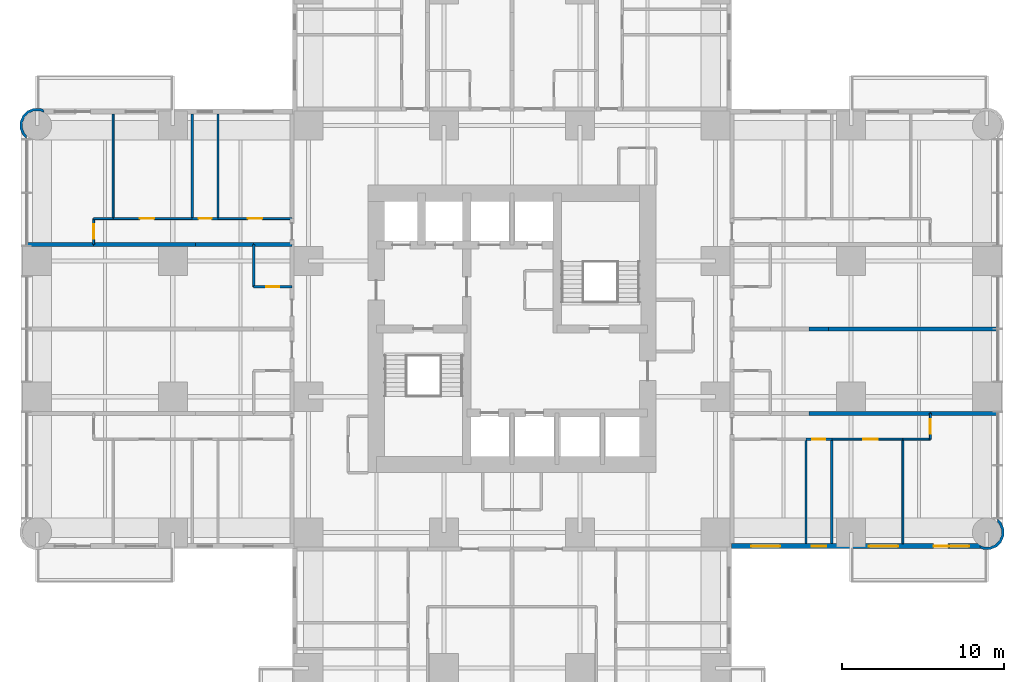
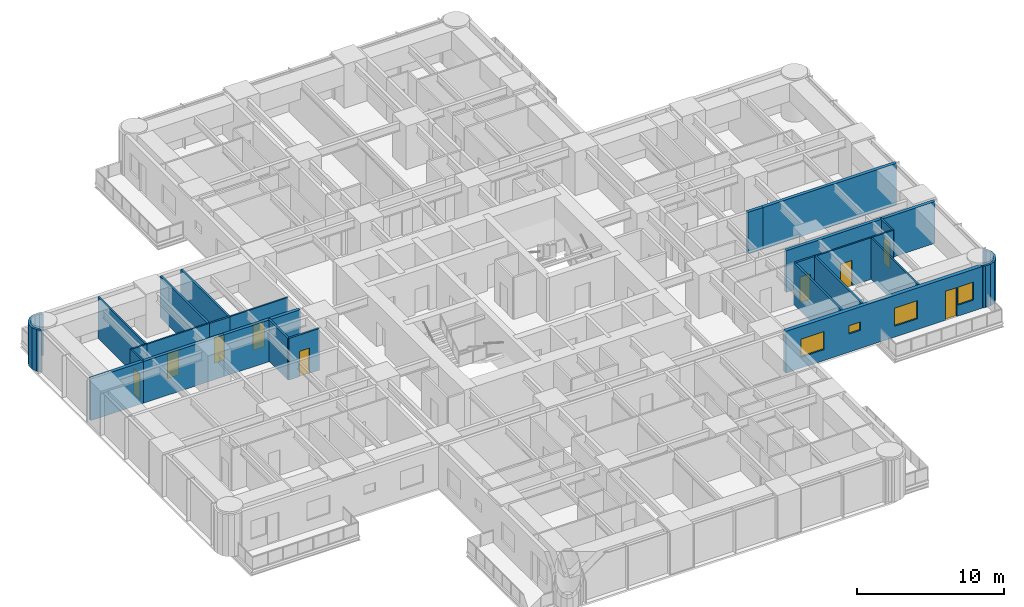
# One storey, part 11 of 17: 28 walls, 9 doors, 4 windows, 13 openings.
"""IFC4 building model written with IfcOpenShell, lengths in metres."""

from ifc_helpers import new_model, si_unit, direction, frame, frame_2d, origin, place, context, subcontext, project, spatial, polyline, rectangle, outline, extrude, material, layer, layer_set, type_object, element, fill, save


model = new_model("IFC4")

# Units and contexts
model_context = context("Model", 3, precision=1e-05, world=origin(), true_north=direction((0.0, 1.0)))
body_context = subcontext(model_context, "Body", "Model", "MODEL_VIEW")
ifc_project = project(units=[si_unit("LENGTHUNIT", "METRE"), si_unit("AREAUNIT", "SQUARE_METRE"), si_unit("VOLUMEUNIT", "CUBIC_METRE"), si_unit("PLANEANGLEUNIT", "RADIAN"), si_unit("MASSUNIT", "GRAM", prefix="KILO")], contexts=[model_context])

# Site, building, storey
site_placement = place(None, origin())
site = spatial("IfcSite", under=ifc_project, at=site_placement, CompositionType="ELEMENT")
building_placement = place(site_placement, origin())
building = spatial("IfcBuilding", under=site, at=building_placement, Name="Torre Alcanfor", CompositionType="ELEMENT")
storey_placement = place(building_placement, frame((0.0, 0.0, 88.5)))
storey = spatial("IfcBuildingStorey", under=building, at=storey_placement, Name="L22", CompositionType="ELEMENT", Elevation=88.5)

# Wall, opening, door
ifc_material_1 = material(Name="Gypsum board on steel studs", Category="steel")
ifc_layer_1 = layer(ifc_material_1, 0.1201171875)
ifc_layer_set_1 = layer_set([ifc_layer_1], Name="Apartment partition 120")
wall_type_1 = type_object("IfcWallType", Name="Apartment partition 120", PredefinedType="PARTITIONING", material=ifc_layer_set_1)
wall_1_placement = place(storey_placement, frame((53.60009765625, 22.571044921875, 0.0), z_axis=(0.0, 0.0, 1.0), x_axis=(-1.0, 0.0, 0.0)))
wall_1 = element("IfcWall", 1, at=wall_1_placement, inside=storey, type_object=wall_type_1, Name="Partition L22-E2B-HALL / L22-E2B-STUDY", PredefinedType="PARTITIONING", context=body_context, shape_type="SweptSolid", body=[
    extrude(rectangle(XDim=4.400146484375, YDim=0.1201171875, at=frame_2d((2.2001953125, 0.0))), origin(), (0.0, 0.0, 1.0), 3.449951171875),
])
opening_1_placement = place(wall_1_placement, frame((1.550048828125, 0.0, 0.0)))
opening_1 = element("IfcOpeningElement", 2, at=opening_1_placement, cuts=wall_1, Name="Opening D-R1", PredefinedType="OPENING", context=body_context, shape_type="SweptSolid", body=[
    extrude(rectangle(XDim=0.89990234375, YDim=2.10009765625, at=frame_2d((0.449951171875, 1.050048828125))), frame((0.0, 0.070068359375, 0.0), z_axis=(0.0, -1.0, 0.0), x_axis=(1.0, 0.0, 0.0)), (0.0, 0.0, 1.0), 0.14013671875),
])
ifc_material_2 = material(Name="Timber", Category="wood")
door_type_1 = type_object("IfcDoorType", Name="Internal door 900x2100", OperationType="SINGLE_SWING_LEFT", PredefinedType="DOOR", material=ifc_material_2)
door_1_placement = place(opening_1_placement, origin())
door_1 = element("IfcDoor", 3, at=door_1_placement, inside=storey, type_object=door_type_1, Name="Door L22-E2B study", OperationType="SINGLE_SWING_LEFT", OverallHeight=2.10009765625, OverallWidth=0.89990234375, PredefinedType="DOOR", context=body_context, shape_type="SweptSolid", body=[
    extrude(rectangle(XDim=0.89990234375, YDim=2.10009765625, at=frame_2d((0.449951171875, 1.050048828125))), frame((0.0, 0.02490234375, 0.0), z_axis=(0.0, -1.0, 0.0), x_axis=(1.0, 0.0, 0.0)), (0.0, 0.0, 1.0), 0.050048828125),
])
fill(opening_1, door_1)

# Wall
wall_2_placement = place(storey_placement, frame((55.300048828125, 22.571044921875, 0.0), z_axis=(0.0, 0.0, 1.0), x_axis=(-1.0, 0.0, 0.0)))
element("IfcWall", 4, at=wall_2_placement, inside=storey, type_object=wall_type_1, Name="Partition L22-E2B-HALL / L22-E2B-KITCHEN", PredefinedType="PARTITIONING", context=body_context, shape_type="SweptSolid", body=[
    extrude(rectangle(XDim=1.699951171875, YDim=0.1201171875, at=frame_2d((0.85009765625, 0.0))), origin(), (0.0, 0.0, 1.0), 3.449951171875),
])

# Wall, opening, door
wall_3_placement = place(storey_placement, frame((55.300048828125, 24.1708984375, 0.0), z_axis=(0.0, 0.0, 1.0), x_axis=(0.0, -1.0, 0.0)))
wall_3 = element("IfcWall", 5, at=wall_3_placement, inside=storey, type_object=wall_type_1, Name="Partition L22-E2B-HALL / L22-E2B-LIVING", PredefinedType="PARTITIONING", context=body_context, shape_type="SweptSolid", body=[
    extrude(rectangle(XDim=1.599853515625, YDim=0.1201171875, at=frame_2d((0.7998046875, 0.0))), origin(), (0.0, 0.0, 1.0), 3.449951171875),
])
opening_2_placement = place(wall_3_placement, frame((0.35009765625, 0.0, 0.0)))
opening_2 = element("IfcOpeningElement", 6, at=opening_2_placement, cuts=wall_3, Name="Opening D-R1", PredefinedType="OPENING", context=body_context, shape_type="SweptSolid", body=[
    extrude(rectangle(XDim=0.89990234375, YDim=2.10009765625, at=frame_2d((0.449951171875, 1.050048828125))), frame((0.0, 0.070068359375, 0.0), z_axis=(0.0, -1.0, 0.0), x_axis=(1.0, 0.0, 0.0)), (0.0, 0.0, 1.0), 0.14013671875),
])
door_2_placement = place(opening_2_placement, origin())
door_2 = element("IfcDoor", 7, at=door_2_placement, inside=storey, type_object=door_type_1, Name="Door L22-E2B living", OperationType="SINGLE_SWING_LEFT", OverallHeight=2.10009765625, OverallWidth=0.89990234375, PredefinedType="DOOR", context=body_context, shape_type="SweptSolid", body=[
    extrude(rectangle(XDim=0.89990234375, YDim=2.10009765625, at=frame_2d((0.449951171875, 1.050048828125))), frame((0.0, 0.02490234375, 0.0), z_axis=(0.0, -1.0, 0.0), x_axis=(1.0, 0.0, 0.0)), (0.0, 0.0, 1.0), 0.050048828125),
])
fill(opening_2, door_2)

# Wall
wall_4_placement = place(storey_placement, frame((53.60009765625, 22.571044921875, 0.0), z_axis=(0.0, 0.0, 1.0), x_axis=(0.0, -1.0, 0.0)))
element("IfcWall", 8, at=wall_4_placement, inside=storey, type_object=wall_type_1, Name="Partition L22-E2B-STUDY / L22-E2B-KITCHEN", PredefinedType="PARTITIONING", context=body_context, shape_type="SweptSolid", body=[
    extrude(rectangle(XDim=6.470947265625, YDim=0.1201171875, at=frame_2d((3.2353515625, 0.0))), origin(), (0.0, 0.0, 1.0), 3.449951171875),
])

# Wall, opening, door
wall_5_placement = place(storey_placement, frame((11.199951171875, 36.22900390625, 0.0), z_axis=(0.0, 0.0, 1.0), x_axis=(1.0, 0.0, 0.0)))
wall_5 = element("IfcWall", 9, at=wall_5_placement, inside=storey, type_object=wall_type_1, Name="Partition L22-W2B-HALL / L22-W2B-BED2", PredefinedType="PARTITIONING", context=body_context, shape_type="SweptSolid", body=[
    extrude(rectangle(XDim=4.574951171875, YDim=0.1201171875, at=frame_2d((2.28759765625, 0.0))), origin(), (0.0, 0.0, 1.0), 3.449951171875),
])
opening_3_placement = place(wall_5_placement, frame((1.85009765625, 0.0, 0.0)))
opening_3 = element("IfcOpeningElement", 10, at=opening_3_placement, cuts=wall_5, Name="Opening D-R1", PredefinedType="OPENING", context=body_context, shape_type="SweptSolid", body=[
    extrude(rectangle(XDim=0.89990234375, YDim=2.10009765625, at=frame_2d((0.449951171875, 1.050048828125))), frame((0.0, 0.070068359375, 0.0), z_axis=(0.0, -1.0, 0.0), x_axis=(1.0, 0.0, 0.0)), (0.0, 0.0, 1.0), 0.14013671875),
])
door_3_placement = place(opening_3_placement, origin())
door_3 = element("IfcDoor", 11, at=door_3_placement, inside=storey, type_object=door_type_1, Name="Door L22-W2B bed2", OperationType="SINGLE_SWING_RIGHT", OverallHeight=2.10009765625, OverallWidth=0.89990234375, PredefinedType="DOOR", context=body_context, shape_type="SweptSolid", body=[
    extrude(rectangle(XDim=0.89990234375, YDim=2.10009765625, at=frame_2d((0.449951171875, 1.050048828125))), frame((0.0, 0.02490234375, 0.0), z_axis=(0.0, -1.0, 0.0), x_axis=(1.0, 0.0, 0.0)), (0.0, 0.0, 1.0), 0.050048828125),
])
fill(opening_3, door_3)

wall_6_placement = place(storey_placement, frame((4.699951171875, 36.22900390625, 0.0), z_axis=(0.0, 0.0, 1.0), x_axis=(1.0, 0.0, 0.0)))
wall_6 = element("IfcWall", 12, at=wall_6_placement, inside=storey, type_object=wall_type_1, Name="Partition L22-W2B-HALL / L22-W2B-MASTER", PredefinedType="PARTITIONING", context=body_context, shape_type="SweptSolid", body=[
    extrude(rectangle(XDim=4.900146484375, YDim=0.1201171875, at=frame_2d((2.4501953125, 0.0))), origin(), (0.0, 0.0, 1.0), 3.449951171875),
])
opening_4_placement = place(wall_6_placement, frame((1.64990234375, 0.0, 0.0)))
opening_4 = element("IfcOpeningElement", 13, at=opening_4_placement, cuts=wall_6, Name="Opening D-R1", PredefinedType="OPENING", context=body_context, shape_type="SweptSolid", body=[
    extrude(rectangle(XDim=0.89990234375, YDim=2.10009765625, at=frame_2d((0.449951171875, 1.050048828125))), frame((0.0, 0.070068359375, 0.0), z_axis=(0.0, -1.0, 0.0), x_axis=(1.0, 0.0, 0.0)), (0.0, 0.0, 1.0), 0.14013671875),
])
door_4_placement = place(opening_4_placement, origin())
door_4 = element("IfcDoor", 14, at=door_4_placement, inside=storey, type_object=door_type_1, Name="Door L22-W2B master", OperationType="SINGLE_SWING_LEFT", OverallHeight=2.10009765625, OverallWidth=0.89990234375, PredefinedType="DOOR", context=body_context, shape_type="SweptSolid", body=[
    extrude(rectangle(XDim=0.89990234375, YDim=2.10009765625, at=frame_2d((0.449951171875, 1.050048828125))), frame((0.0, 0.02490234375, 0.0), z_axis=(0.0, -1.0, 0.0), x_axis=(1.0, 0.0, 0.0)), (0.0, 0.0, 1.0), 0.050048828125),
])
fill(opening_4, door_4)

# Wall
wall_7_placement = place(storey_placement, frame((3.5, 36.22900390625, 0.0), z_axis=(0.0, 0.0, 1.0), x_axis=(1.0, 0.0, 0.0)))
element("IfcWall", 15, at=wall_7_placement, inside=storey, type_object=wall_type_1, Name="Partition L22-W2B-HALL / L22-W2B-KITCHEN", PredefinedType="PARTITIONING", context=body_context, shape_type="SweptSolid", body=[
    extrude(rectangle(XDim=1.199951171875, YDim=0.1201171875, at=frame_2d((0.60009765625, 0.0))), origin(), (0.0, 0.0, 1.0), 3.449951171875),
])

# Wall, opening, door
wall_8_placement = place(storey_placement, frame((3.5, 34.62890625, 0.0), z_axis=(0.0, 0.0, 1.0), x_axis=(0.0, 1.0, 0.0)))
wall_8 = element("IfcWall", 16, at=wall_8_placement, inside=storey, type_object=wall_type_1, Name="Partition L22-W2B-HALL / L22-W2B-LIVING", PredefinedType="PARTITIONING", context=body_context, shape_type="SweptSolid", body=[
    extrude(rectangle(XDim=1.60009765625, YDim=0.1201171875, at=frame_2d((0.800048828125, 0.0))), origin(), (0.0, 0.0, 1.0), 3.449951171875),
])
opening_5_placement = place(wall_8_placement, frame((0.35009765625, 0.0, 0.0)))
opening_5 = element("IfcOpeningElement", 17, at=opening_5_placement, cuts=wall_8, Name="Opening D-R1", PredefinedType="OPENING", context=body_context, shape_type="SweptSolid", body=[
    extrude(rectangle(XDim=0.89990234375, YDim=2.10009765625, at=frame_2d((0.449951171875, 1.050048828125))), frame((0.0, 0.070068359375, 0.0), z_axis=(0.0, -1.0, 0.0), x_axis=(1.0, 0.0, 0.0)), (0.0, 0.0, 1.0), 0.14013671875),
])
door_5_placement = place(opening_5_placement, origin())
door_5 = element("IfcDoor", 18, at=door_5_placement, inside=storey, type_object=door_type_1, Name="Door L22-W2B living", OperationType="SINGLE_SWING_LEFT", OverallHeight=2.10009765625, OverallWidth=0.89990234375, PredefinedType="DOOR", context=body_context, shape_type="SweptSolid", body=[
    extrude(rectangle(XDim=0.89990234375, YDim=2.10009765625, at=frame_2d((0.449951171875, 1.050048828125))), frame((0.0, 0.02490234375, 0.0), z_axis=(0.0, -1.0, 0.0), x_axis=(1.0, 0.0, 0.0)), (0.0, 0.0, 1.0), 0.050048828125),
])
fill(opening_5, door_5)

# Wall
wall_9_placement = place(storey_placement, frame((4.699951171875, 36.22900390625, 0.0), z_axis=(0.0, 0.0, 1.0), x_axis=(0.0, 1.0, 0.0)))
element("IfcWall", 19, at=wall_9_placement, inside=storey, type_object=wall_type_1, Name="Partition L22-W2B-MASTER / L22-W2B-KITCHEN", PredefinedType="PARTITIONING", context=body_context, shape_type="SweptSolid", body=[
    extrude(rectangle(XDim=6.470947265625, YDim=0.1201171875, at=frame_2d((3.2353515625, 0.0))), origin(), (0.0, 0.0, 1.0), 3.449951171875),
])

# Wall, openings, door, windows
ifc_material_3 = material(Name="Limestone cladding", Category="masonry")
ifc_layer_2 = layer(ifc_material_3, 0.0400390625, Name="Facing")
ifc_material_4 = material(Name="Ventilated air cavity")
ifc_layer_3 = layer(ifc_material_4, 0.02001953125, ventilated=True, Name="Ventilated joint")
ifc_material_5 = material(Name="Mineral wool insulation", Category="insulation")
ifc_layer_4 = layer(ifc_material_5, 0.10009765625, Name="Insulation")
ifc_material_6 = material(Name="Concrete f'c 35 MPa", Category="concrete")
ifc_layer_5 = layer(ifc_material_6, 0.139892578125, Name="Backing")
ifc_layer_set_2 = layer_set([ifc_layer_2, ifc_layer_3, ifc_layer_4, ifc_layer_5], Name="External wall stone-clad 300")
wall_type_2 = type_object("IfcWallType", Name="External wall stone-clad 300", PredefinedType="SOLIDWALL", material=ifc_layer_set_2)
wall_10_placement = place(storey_placement, frame((43.0, 15.949951171875, 0.0), z_axis=(0.0, 0.0, 1.0), x_axis=(1.0, 0.0, 0.0)))
wall_10 = element("IfcWall", 20, at=wall_10_placement, inside=storey, type_object=wall_type_2, Name="External wall L22 7", PredefinedType="SOLIDWALL", context=body_context, shape_type="SweptSolid", body=[
    extrude(rectangle(XDim=15.39990234375, YDim=0.300048828125, at=frame_2d((7.699951171875, 0.0))), origin(), (0.0, 0.0, 1.0), 3.449951171875),
])
opening_6_placement = place(wall_10_placement, frame((1.199951171875, 0.0, 0.89990234375)))
opening_6 = element("IfcOpeningElement", 21, at=opening_6_placement, cuts=wall_10, Name="Opening W2", PredefinedType="OPENING", context=body_context, shape_type="SweptSolid", body=[
    extrude(rectangle(XDim=1.800048828125, YDim=1.5, at=frame_2d((0.89990234375, 0.75))), frame((0.0, 0.159912109375, 0.0), z_axis=(0.0, -1.0, 0.0), x_axis=(1.0, 0.0, 0.0)), (0.0, 0.0, 1.0), 0.320068359375),
])
opening_7_placement = place(wall_10_placement, frame((4.949951171875, 0.0, 1.5)))
opening_7 = element("IfcOpeningElement", 22, at=opening_7_placement, cuts=wall_10, Name="Opening W3", PredefinedType="OPENING", context=body_context, shape_type="SweptSolid", body=[
    extrude(rectangle(XDim=0.89990234375, YDim=0.699951171875, at=frame_2d((0.449951171875, 0.35009765625))), frame((0.0, 0.159912109375, 0.0), z_axis=(0.0, -1.0, 0.0), x_axis=(1.0, 0.0, 0.0)), (0.0, 0.0, 1.0), 0.320068359375),
])
opening_8_placement = place(wall_10_placement, frame((8.5, 0.0, 0.89990234375)))
opening_8 = element("IfcOpeningElement", 23, at=opening_8_placement, cuts=wall_10, Name="Opening W2", PredefinedType="OPENING", context=body_context, shape_type="SweptSolid", body=[
    extrude(rectangle(XDim=1.800048828125, YDim=1.5, at=frame_2d((0.89990234375, 0.75))), frame((0.0, 0.159912109375, 0.0), z_axis=(0.0, -1.0, 0.0), x_axis=(1.0, 0.0, 0.0)), (0.0, 0.0, 1.0), 0.320068359375),
])
opening_9_placement = place(wall_10_placement, frame((12.5, 0.0, 0.0)))
opening_9 = element("IfcOpeningElement", 24, at=opening_9_placement, cuts=wall_10, Name="Opening D-B1", PredefinedType="OPENING", context=body_context, shape_type="SweptSolid", body=[
    extrude(rectangle(XDim=0.89990234375, YDim=2.39990234375, at=frame_2d((0.449951171875, 1.199951171875))), frame((0.0, 0.159912109375, 0.0), z_axis=(0.0, -1.0, 0.0), x_axis=(1.0, 0.0, 0.0)), (0.0, 0.0, 1.0), 0.320068359375),
])
opening_10_placement = place(wall_10_placement, frame((13.5, 0.0, 0.89990234375)))
opening_10 = element("IfcOpeningElement", 25, at=opening_10_placement, cuts=wall_10, Name="Opening W4", PredefinedType="OPENING", context=body_context, shape_type="SweptSolid", body=[
    extrude(rectangle(XDim=1.199951171875, YDim=1.5, at=frame_2d((0.60009765625, 0.75))), frame((0.0, 0.159912109375, 0.0), z_axis=(0.0, -1.0, 0.0), x_axis=(1.0, 0.0, 0.0)), (0.0, 0.0, 1.0), 0.320068359375),
])
ifc_material_7 = material(Name="Aluminium and glass", Category="aluminium")
door_type_2 = type_object("IfcDoorType", Name="Balcony door glazed 900x2400", OperationType="SINGLE_SWING_LEFT", PredefinedType="DOOR", material=ifc_material_7)
door_6_placement = place(opening_9_placement, origin())
door_6 = element("IfcDoor", 26, at=door_6_placement, inside=storey, type_object=door_type_2, Name="Balcony door L22-E2", OperationType="SINGLE_SWING_LEFT", OverallHeight=2.39990234375, OverallWidth=0.89990234375, PredefinedType="DOOR", context=body_context, shape_type="SweptSolid", body=[
    extrude(rectangle(XDim=0.89990234375, YDim=2.39990234375, at=frame_2d((0.449951171875, 1.199951171875))), frame((0.0, 0.02490234375, 0.0), z_axis=(0.0, -1.0, 0.0), x_axis=(1.0, 0.0, 0.0)), (0.0, 0.0, 1.0), 0.050048828125),
])
fill(opening_9, door_6)
ifc_material_8 = material(Name="Aluminium frame with clear double glazing", Category="aluminium")
window_type_1 = type_object("IfcWindowType", Name="Window bathroom 900x700", PartitioningType="SINGLE_PANEL", PredefinedType="WINDOW", material=ifc_material_8)
window_1_placement = place(opening_7_placement, origin())
window_1 = element("IfcWindow", 27, at=window_1_placement, inside=storey, type_object=window_type_1, Name="Window W3 L22-E2", OverallHeight=0.699951171875, OverallWidth=0.89990234375, PartitioningType="SINGLE_PANEL", PredefinedType="WINDOW", context=body_context, shape_type="SweptSolid", body=[
    extrude(rectangle(XDim=0.89990234375, YDim=0.699951171875, at=frame_2d((0.449951171875, 0.35009765625))), frame((0.0, 0.030029296875, 0.0), z_axis=(0.0, -1.0, 0.0), x_axis=(1.0, 0.0, 0.0)), (0.0, 0.0, 1.0), 0.06005859375),
])
fill(opening_7, window_1)
ifc_material_9 = material(Name="Aluminium frame with clear double glazing", Category="aluminium")
window_type_2 = type_object("IfcWindowType", Name="Window bedroom 1200x1500", PartitioningType="SINGLE_PANEL", PredefinedType="WINDOW", material=ifc_material_9)
window_2_placement = place(opening_10_placement, origin())
window_2 = element("IfcWindow", 28, at=window_2_placement, inside=storey, type_object=window_type_2, Name="Window W4 L22-E2", OverallHeight=1.5, OverallWidth=1.199951171875, PartitioningType="SINGLE_PANEL", PredefinedType="WINDOW", context=body_context, shape_type="SweptSolid", body=[
    extrude(rectangle(XDim=1.199951171875, YDim=1.5, at=frame_2d((0.60009765625, 0.75))), frame((0.0, 0.030029296875, 0.0), z_axis=(0.0, -1.0, 0.0), x_axis=(1.0, 0.0, 0.0)), (0.0, 0.0, 1.0), 0.06005859375),
])
fill(opening_10, window_2)
ifc_material_10 = material(Name="Aluminium frame with clear double glazing", Category="aluminium")
window_type_3 = type_object("IfcWindowType", Name="Window bedroom 1800x1500", PartitioningType="SINGLE_PANEL", PredefinedType="WINDOW", material=ifc_material_10)
window_3_placement = place(opening_6_placement, origin())
window_3 = element("IfcWindow", 29, at=window_3_placement, inside=storey, type_object=window_type_3, Name="Window W2 L22-E2", OverallHeight=1.5, OverallWidth=1.800048828125, PartitioningType="SINGLE_PANEL", PredefinedType="WINDOW", context=body_context, shape_type="SweptSolid", body=[
    extrude(rectangle(XDim=1.800048828125, YDim=1.5, at=frame_2d((0.89990234375, 0.75))), frame((0.0, 0.030029296875, 0.0), z_axis=(0.0, -1.0, 0.0), x_axis=(1.0, 0.0, 0.0)), (0.0, 0.0, 1.0), 0.06005859375),
])
fill(opening_6, window_3)
window_4_placement = place(opening_8_placement, origin())
window_4 = element("IfcWindow", 30, at=window_4_placement, inside=storey, type_object=window_type_3, Name="Window W2 L22-E2", OverallHeight=1.5, OverallWidth=1.800048828125, PartitioningType="SINGLE_PANEL", PredefinedType="WINDOW", context=body_context, shape_type="SweptSolid", body=[
    extrude(rectangle(XDim=1.800048828125, YDim=1.5, at=frame_2d((0.89990234375, 0.75))), frame((0.0, 0.030029296875, 0.0), z_axis=(0.0, -1.0, 0.0), x_axis=(1.0, 0.0, 0.0)), (0.0, 0.0, 1.0), 0.06005859375),
])
fill(opening_8, window_4)

# Walls
ifc_material_11 = material(Name="Concrete block masonry, hollow blocks NMX-C-404 9 MPa", Category="masonry")
ifc_layer_6 = layer(ifc_material_11, 0.25)
ifc_layer_set_3 = layer_set([ifc_layer_6], Name="Party wall 250 EI 60")
wall_type_3 = type_object("IfcWallType", Name="Party wall 250 EI 60", PredefinedType="PARTITIONING", material=ifc_layer_set_3)
wall_11_placement = place(storey_placement, frame((47.800048828125, 29.39990234375, 0.0), z_axis=(0.0, 0.0, 1.0), x_axis=(1.0, 0.0, 0.0)))
element("IfcWall", 31, at=wall_11_placement, inside=storey, type_object=wall_type_3, Name="Partition L22-E1A-KITCHEN / L22-E2A-STUDIO", PredefinedType="PARTITIONING", context=body_context, shape_type="SweptSolid", body=[
    extrude(rectangle(XDim=1.199951171875, YDim=0.25, at=frame_2d((0.60009765625, 0.0))), origin(), (0.0, 0.0, 1.0), 3.449951171875),
])
wall_12_placement = place(storey_placement, frame((49.0, 29.39990234375, 0.0), z_axis=(0.0, 0.0, 1.0), x_axis=(1.0, 0.0, 0.0)))
element("IfcWall", 32, at=wall_12_placement, inside=storey, type_object=wall_type_3, Name="Partition L22-E1A-STUDIO / L22-E2A-STUDIO", PredefinedType="PARTITIONING", context=body_context, shape_type="SweptSolid", body=[
    extrude(rectangle(XDim=10.449951171875, YDim=0.25, at=frame_2d((5.22509765625, 0.0))), origin(), (0.0, 0.0, 1.0), 3.449951171875),
])
wall_13_placement = place(storey_placement, frame((55.300048828125, 24.1708984375, 0.0), z_axis=(0.0, 0.0, 1.0), x_axis=(-1.0, 0.0, 0.0)))
element("IfcWall", 33, at=wall_13_placement, inside=storey, type_object=wall_type_3, Name="Partition L22-E2A-STUDIO / L22-E2B-HALL", PredefinedType="PARTITIONING", context=body_context, shape_type="SweptSolid", body=[
    extrude(rectangle(XDim=7.5, YDim=0.25, at=frame_2d((3.75, 0.0))), origin(), (0.0, 0.0, 1.0), 3.449951171875),
])
wall_14_placement = place(storey_placement, frame((59.449951171875, 24.1708984375, 0.0), z_axis=(0.0, 0.0, 1.0), x_axis=(-1.0, 0.0, 0.0)))
element("IfcWall", 34, at=wall_14_placement, inside=storey, type_object=wall_type_3, Name="Partition L22-E2A-STUDIO / L22-E2B-LIVING", PredefinedType="PARTITIONING", context=body_context, shape_type="SweptSolid", body=[
    extrude(rectangle(XDim=4.14990234375, YDim=0.25, at=frame_2d((2.074951171875, 0.0))), origin(), (0.0, 0.0, 1.0), 3.449951171875),
])
wall_15_placement = place(storey_placement, frame((13.39990234375, 34.62890625, 0.0), z_axis=(0.0, 0.0, 1.0), x_axis=(1.0, 0.0, 0.0)))
element("IfcWall", 35, at=wall_15_placement, inside=storey, type_object=wall_type_3, Name="Partition L22-W2A-BATH / L22-W2B-HALL", PredefinedType="PARTITIONING", context=body_context, shape_type="SweptSolid", body=[
    extrude(rectangle(XDim=2.375, YDim=0.25, at=frame_2d((1.1875, 0.0))), origin(), (0.0, 0.0, 1.0), 3.449951171875),
])
wall_16_placement = place(storey_placement, frame((9.800048828125, 34.62890625, 0.0), z_axis=(0.0, 0.0, 1.0), x_axis=(1.0, 0.0, 0.0)))
element("IfcWall", 36, at=wall_16_placement, inside=storey, type_object=wall_type_3, Name="Partition L22-W2A-KITCHEN / L22-W2B-HALL", PredefinedType="PARTITIONING", context=body_context, shape_type="SweptSolid", body=[
    extrude(rectangle(XDim=3.599853515625, YDim=0.25, at=frame_2d((1.7998046875, 0.0))), origin(), (0.0, 0.0, 1.0), 3.449951171875),
])
wall_17_placement = place(storey_placement, frame((3.5, 34.62890625, 0.0), z_axis=(0.0, 0.0, 1.0), x_axis=(1.0, 0.0, 0.0)))
element("IfcWall", 37, at=wall_17_placement, inside=storey, type_object=wall_type_3, Name="Partition L22-W2A-STUDIO / L22-W2B-HALL", PredefinedType="PARTITIONING", context=body_context, shape_type="SweptSolid", body=[
    extrude(rectangle(XDim=6.300048828125, YDim=0.25, at=frame_2d((3.14990234375, 0.0))), origin(), (0.0, 0.0, 1.0), 3.449951171875),
])
wall_18_placement = place(storey_placement, frame((-0.64990234375, 34.62890625, 0.0), z_axis=(0.0, 0.0, 1.0), x_axis=(1.0, 0.0, 0.0)))
element("IfcWall", 38, at=wall_18_placement, inside=storey, type_object=wall_type_3, Name="Partition L22-W2A-STUDIO / L22-W2B-LIVING", PredefinedType="PARTITIONING", context=body_context, shape_type="SweptSolid", body=[
    extrude(rectangle(XDim=4.14990234375, YDim=0.25, at=frame_2d((2.074951171875, 0.0))), origin(), (0.0, 0.0, 1.0), 3.449951171875),
])
ifc_layer_7 = layer(ifc_material_3, 0.0400390625, Name="Facing")
ifc_layer_8 = layer(ifc_material_4, 0.02001953125, ventilated=True, Name="Ventilated joint")
ifc_layer_9 = layer(ifc_material_5, 0.10009765625, Name="Insulation")
ifc_layer_10 = layer(ifc_material_6, 0.139892578125, Name="Backing")
ifc_layer_set_4 = layer_set([ifc_layer_7, ifc_layer_8, ifc_layer_9, ifc_layer_10], Name="Rounded corner pier stone-clad 300")
wall_type_4 = type_object("IfcWallType", Name="Rounded corner pier stone-clad 300", PredefinedType="SOLIDWALL", material=ifc_layer_set_4)
wall_19_placement = place(storey_placement, frame((0.363962863, 42.909907157, 0.0), z_axis=(0.0, 0.0, 1.0), x_axis=(-0.926129809145, 0.377204953059, 0.0)))
element("IfcWall", 39, at=wall_19_placement, inside=storey, type_object=wall_type_4, Name="Corner pier L22 13", PredefinedType="SOLIDWALL", context=body_context, shape_type="SweptSolid", body=[
    extrude(outline(polyline([(0.36027248147905344, 1.8032799323574271), (0.5087783723473315, 1.740921099842025), (0.7605913470133172, 1.4857584601095954), (0.8957810128069955, 1.1538349835897281), (0.8939031559639274, 0.7953461823991875), (0.7547957339381889, 0.4650577343600455), (0.4996330942057594, 0.21324475969405968), (0.1677096176858921, 0.07805509390038129), (-0.09992182078970525, 0.07950523369113624), (0.0006988421670046999, -0.09699421764222865), (0.0300177129428464, -0.08030783699434613), (0.19858532179107968, -0.08124570553990346), (0.5888441232034033, 0.0777034519259609), (0.8888369702307105, 0.374136779300854), (1.052603126025944, 0.7629734686109036), (1.0550818122472803, 1.1847106876949156), (0.8961326547814159, 1.5749694891072394), (0.7776866026168303, 1.6949130219751851), (0.7691400347446393, 1.7275471706587737), (0.7502646662372825, 1.7227591424871238), (0.599699327406523, 1.8749623361345464), (0.2945484394782597, 2.0034825844222954), (0.2809820848521072, 1.9979571212427172), (0.36027248147905344, 1.8032799323574271)])), origin(), (0.0, 0.0, 1.0), 3.449951171875),
])
wall_20_placement = place(storey_placement, frame((58.436037137, 15.890092843, 0.0), z_axis=(0.0, 0.0, 1.0), x_axis=(0.926129809145, -0.377204953059, 0.0)))
element("IfcWall", 40, at=wall_20_placement, inside=storey, type_object=wall_type_4, Name="Corner pier L22 17", PredefinedType="SOLIDWALL", context=body_context, shape_type="SweptSolid", body=[
    extrude(outline(polyline([(0.769166837716128, 1.7276108100514604), (0.7500653632983351, 1.7227306908268178), (0.5995000244675756, 1.8749338844742405), (0.2945752424497483, 2.003546223814982), (0.2810088878235957, 1.9980207606354041), (0.36029928445054193, 1.803343571750114), (0.5086711604613772, 1.740666542271283), (0.7606181499848057, 1.4858220995022824), (0.8958078157784841, 1.153898622982415), (0.8937038530249802, 0.7953177307388815), (0.7545964309992416, 0.4650292826997394), (0.49975198823024103, 0.21308229317631072), (0.16782851171037358, 0.07789262738263233), (-0.0998950178182167, 0.07956887308382314), (0.0004995392280573718, -0.09702266930253471), (0.03004451591433495, -0.08024419760165923), (0.19838601885213236, -0.08127415720020953), (0.5888709261748919, 0.07776709131864781), (0.888863773202199, 0.37420041869354087), (1.0524038230869968, 0.7629450169505976), (1.0552007062717619, 1.1845482211771667), (0.8961594577529046, 1.5750331284999262), (0.777713405588319, 1.694976661367872), (0.769166837716128, 1.7276108100514604)])), origin(), (0.0, 0.0, 1.0), 3.449951171875),
])

# Wall, opening, door
ifc_material_12 = material(Name="Cement board on steel studs", Category="steel")
ifc_layer_11 = layer(ifc_material_12, 0.14990234375)
ifc_layer_set_5 = layer_set([ifc_layer_11], Name="Wet area partition 150")
wall_type_5 = type_object("IfcWallType", Name="Wet area partition 150", PredefinedType="PARTITIONING", material=ifc_layer_set_5)
wall_21_placement = place(storey_placement, frame((49.199951171875, 22.571044921875, 0.0), z_axis=(0.0, 0.0, 1.0), x_axis=(-1.0, 0.0, 0.0)))
wall_21 = element("IfcWall", 41, at=wall_21_placement, inside=storey, type_object=wall_type_5, Name="Partition L22-E2B-HALL / L22-E2B-BATH", PredefinedType="PARTITIONING", context=body_context, shape_type="SweptSolid", body=[
    extrude(rectangle(XDim=1.599853515625, YDim=0.14990234375, at=frame_2d((0.7998046875, 0.0))), origin(), (0.0, 0.0, 1.0), 3.449951171875),
])
opening_11_placement = place(wall_21_placement, frame((0.39990234375, 0.0, 0.0)))
opening_11 = element("IfcOpeningElement", 42, at=opening_11_placement, cuts=wall_21, Name="Opening D-R2", PredefinedType="OPENING", context=body_context, shape_type="SweptSolid", body=[
    extrude(rectangle(XDim=0.800048828125, YDim=2.10009765625, at=frame_2d((0.39990234375, 1.050048828125))), frame((0.0, 0.0849609375, 0.0), z_axis=(0.0, -1.0, 0.0), x_axis=(1.0, 0.0, 0.0)), (0.0, 0.0, 1.0), 0.169921875),
])
ifc_material_13 = material(Name="Timber", Category="wood")
door_type_3 = type_object("IfcDoorType", Name="Bathroom door 800x2100", OperationType="SINGLE_SWING_LEFT", PredefinedType="DOOR", material=ifc_material_13)
door_7_placement = place(opening_11_placement, origin())
door_7 = element("IfcDoor", 43, at=door_7_placement, inside=storey, type_object=door_type_3, Name="Door L22-E2B bath", OperationType="SINGLE_SWING_LEFT", OverallHeight=2.10009765625, OverallWidth=0.800048828125, PredefinedType="DOOR", context=body_context, shape_type="SweptSolid", body=[
    extrude(rectangle(XDim=0.800048828125, YDim=2.10009765625, at=frame_2d((0.39990234375, 1.050048828125))), frame((0.0, 0.02490234375, 0.0), z_axis=(0.0, -1.0, 0.0), x_axis=(1.0, 0.0, 0.0)), (0.0, 0.0, 1.0), 0.050048828125),
])
fill(opening_11, door_7)

# Walls
for number, where, z_axis, x_axis, name in (
    (44, (47.60009765625, 22.571044921875, 0.0), (0.0, 0.0, 1.0), (0.0, -1.0, 0.0), "Partition L22-E2B-MASTER / L22-E2B-BATH"),
    (45, (49.199951171875, 22.571044921875, 0.0), (0.0, 0.0, 1.0), (0.0, -1.0, 0.0), "Partition L22-E2B-BATH / L22-E2B-STUDY"),
):
    element("IfcWall", number, at=place(storey_placement, frame(where, z_axis=z_axis, x_axis=x_axis)), inside=storey, type_object=wall_type_5, Name=name, PredefinedType="PARTITIONING", context=body_context, shape_type="SweptSolid", body=[
        extrude(rectangle(XDim=6.470947265625, YDim=0.14990234375, at=frame_2d((3.2353515625, 0.0))), origin(), (0.0, 0.0, 1.0), 3.449951171875),
    ])

# Wall, opening, door
wall_22_placement = place(storey_placement, frame((13.39990234375, 32.0, 0.0), z_axis=(0.0, 0.0, 1.0), x_axis=(1.0, 0.0, 0.0)))
wall_22 = element("IfcWall", 46, at=wall_22_placement, inside=storey, type_object=wall_type_5, Name="Partition L22-W2A-FOYER / L22-W2A-BATH", PredefinedType="PARTITIONING", context=body_context, shape_type="SweptSolid", body=[
    extrude(rectangle(XDim=2.375, YDim=0.14990234375, at=frame_2d((1.1875, 0.0))), origin(), (0.0, 0.0, 1.0), 3.449951171875),
])
opening_12_placement = place(wall_22_placement, frame((0.800048828125, 0.0, 0.0)))
opening_12 = element("IfcOpeningElement", 47, at=opening_12_placement, cuts=wall_22, Name="Opening D-R2", PredefinedType="OPENING", context=body_context, shape_type="SweptSolid", body=[
    extrude(rectangle(XDim=0.800048828125, YDim=2.10009765625, at=frame_2d((0.39990234375, 1.050048828125))), frame((0.0, 0.0849609375, 0.0), z_axis=(0.0, -1.0, 0.0), x_axis=(1.0, 0.0, 0.0)), (0.0, 0.0, 1.0), 0.169921875),
])
door_8_placement = place(opening_12_placement, origin())
door_8 = element("IfcDoor", 48, at=door_8_placement, inside=storey, type_object=door_type_3, Name="Door L22-W2A bath", OperationType="SINGLE_SWING_RIGHT", OverallHeight=2.10009765625, OverallWidth=0.800048828125, PredefinedType="DOOR", context=body_context, shape_type="SweptSolid", body=[
    extrude(rectangle(XDim=0.800048828125, YDim=2.10009765625, at=frame_2d((0.39990234375, 1.050048828125))), frame((0.0, 0.02490234375, 0.0), z_axis=(0.0, -1.0, 0.0), x_axis=(1.0, 0.0, 0.0)), (0.0, 0.0, 1.0), 0.050048828125),
])
fill(opening_12, door_8)

# Wall
wall_23_placement = place(storey_placement, frame((13.39990234375, 32.0, 0.0), z_axis=(0.0, 0.0, 1.0), x_axis=(0.0, 1.0, 0.0)))
element("IfcWall", 49, at=wall_23_placement, inside=storey, type_object=wall_type_5, Name="Partition L22-W2A-BATH / L22-W2A-KITCHEN", PredefinedType="PARTITIONING", context=body_context, shape_type="SweptSolid", body=[
    extrude(rectangle(XDim=2.62890625, YDim=0.14990234375, at=frame_2d((1.314453125, 0.0))), origin(), (0.0, 0.0, 1.0), 3.449951171875),
])

# Wall, opening, door
wall_24_placement = place(storey_placement, frame((9.60009765625, 36.22900390625, 0.0), z_axis=(0.0, 0.0, 1.0), x_axis=(1.0, 0.0, 0.0)))
wall_24 = element("IfcWall", 50, at=wall_24_placement, inside=storey, type_object=wall_type_5, Name="Partition L22-W2B-HALL / L22-W2B-BATH", PredefinedType="PARTITIONING", context=body_context, shape_type="SweptSolid", body=[
    extrude(rectangle(XDim=1.599853515625, YDim=0.14990234375, at=frame_2d((0.7998046875, 0.0))), origin(), (0.0, 0.0, 1.0), 3.449951171875),
])
opening_13_placement = place(wall_24_placement, frame((0.39990234375, 0.0, 0.0)))
opening_13 = element("IfcOpeningElement", 51, at=opening_13_placement, cuts=wall_24, Name="Opening D-R2", PredefinedType="OPENING", context=body_context, shape_type="SweptSolid", body=[
    extrude(rectangle(XDim=0.800048828125, YDim=2.10009765625, at=frame_2d((0.39990234375, 1.050048828125))), frame((0.0, 0.0849609375, 0.0), z_axis=(0.0, -1.0, 0.0), x_axis=(1.0, 0.0, 0.0)), (0.0, 0.0, 1.0), 0.169921875),
])
door_9_placement = place(opening_13_placement, origin())
door_9 = element("IfcDoor", 52, at=door_9_placement, inside=storey, type_object=door_type_3, Name="Door L22-W2B bath", OperationType="SINGLE_SWING_LEFT", OverallHeight=2.10009765625, OverallWidth=0.800048828125, PredefinedType="DOOR", context=body_context, shape_type="SweptSolid", body=[
    extrude(rectangle(XDim=0.800048828125, YDim=2.10009765625, at=frame_2d((0.39990234375, 1.050048828125))), frame((0.0, 0.02490234375, 0.0), z_axis=(0.0, -1.0, 0.0), x_axis=(1.0, 0.0, 0.0)), (0.0, 0.0, 1.0), 0.050048828125),
])
fill(opening_13, door_9)

# Walls
for number, where, z_axis, x_axis, name in (
    (53, (11.199951171875, 36.22900390625, 0.0), (0.0, 0.0, 1.0), (0.0, 1.0, 0.0), "Partition L22-W2B-BED2 / L22-W2B-BATH"),
    (54, (9.60009765625, 36.22900390625, 0.0), (0.0, 0.0, 1.0), (0.0, 1.0, 0.0), "Partition L22-W2B-BATH / L22-W2B-MASTER"),
):
    element("IfcWall", number, at=place(storey_placement, frame(where, z_axis=z_axis, x_axis=x_axis)), inside=storey, type_object=wall_type_5, Name=name, PredefinedType="PARTITIONING", context=body_context, shape_type="SweptSolid", body=[
        extrude(rectangle(XDim=6.470947265625, YDim=0.14990234375, at=frame_2d((3.2353515625, 0.0))), origin(), (0.0, 0.0, 1.0), 3.449951171875),
    ])

save(model, "model.ifc")
